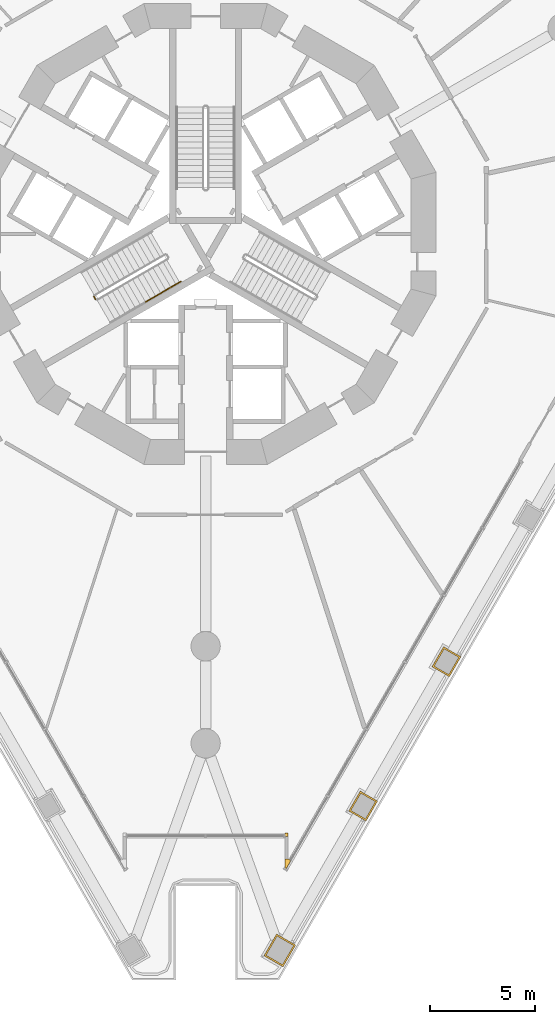
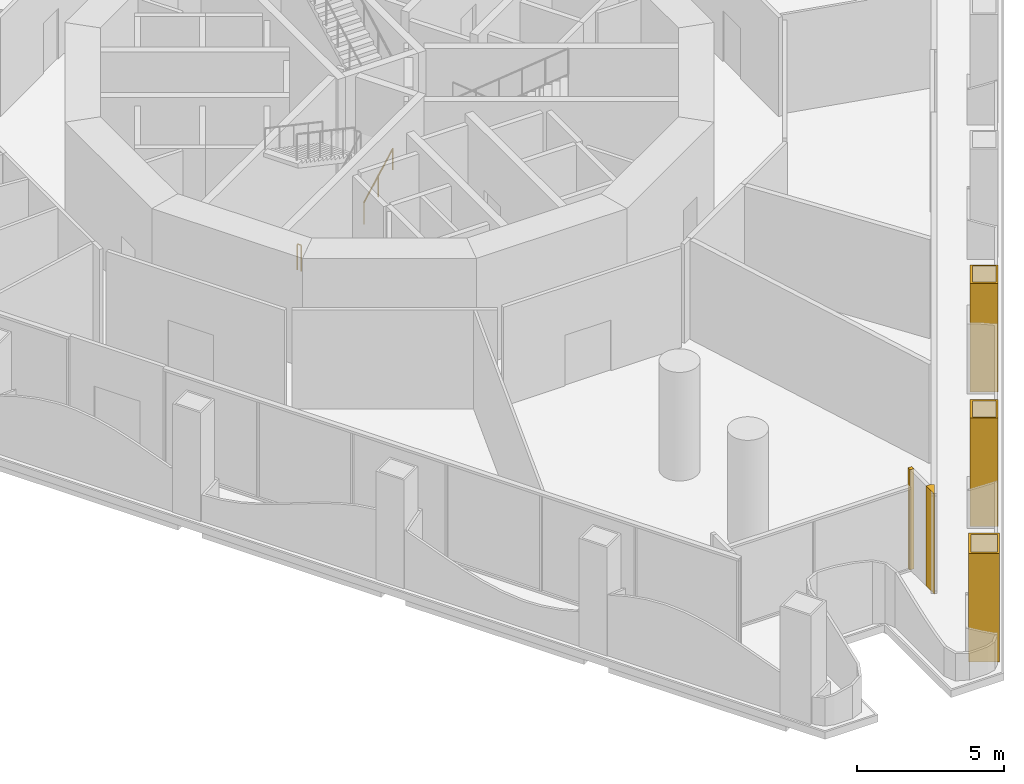
# One storey, part 18 of 23: 5 coverings, 2 railings.
"""IFC4 building model written with IfcOpenShell, lengths in metres."""

from ifc_helpers import new_model, si_unit, direction, frame, origin, origin_2d, place, context, subcontext, project, spatial, polyline, circle, outline, extrude, material, layer, layer_set, type_object, element, save


model = new_model("IFC4")

# Units and contexts
model_context = context("Model", 3, precision=1e-05, world=origin(), true_north=direction((0.0, 1.0)))
body_context = subcontext(model_context, "Body", "Model", "MODEL_VIEW")
ifc_project = project(units=[si_unit("LENGTHUNIT", "METRE"), si_unit("AREAUNIT", "SQUARE_METRE"), si_unit("VOLUMEUNIT", "CUBIC_METRE"), si_unit("PLANEANGLEUNIT", "RADIAN"), si_unit("MASSUNIT", "GRAM", prefix="KILO")], contexts=[model_context])

# Site, building, storey
site_placement = place(None, origin())
site = spatial("IfcSite", under=ifc_project, at=site_placement, CompositionType="ELEMENT")
building_placement = place(site_placement, origin())
building = spatial("IfcBuilding", under=site, at=building_placement, Name="Trine Commons Tower", CompositionType="ELEMENT")
storey_placement = place(building_placement, frame((0.0, 0.0, 18.0)))
storey = spatial("IfcBuildingStorey", under=building, at=storey_placement, Name="L03", CompositionType="ELEMENT", Elevation=18.0)

# Coverings
ifc_material_1 = material(Name="Aluminium-framed insulated wall panel", Category="aluminium")
ifc_layer_1 = layer(ifc_material_1, 0.14990234375)
ifc_layer_set_1 = layer_set([ifc_layer_1], Name="Aluminium-framed insulated wall panel")
covering_type_1 = type_object("IfcCoveringType", Name="Glazing corner post, aluminium", PredefinedType="CLADDING", material=ifc_layer_set_1)
covering_1_placement = place(storey_placement, origin())
element("IfcCovering", 1, at=covering_1_placement, inside=storey, type_object=covering_type_1, Name="Glazing corner post 1-09", PredefinedType="CLADDING", context=body_context, shape_type="SweptSolid", body=[
    extrude(outline(polyline([(83.7900390625, 32.635009765625), (83.7900390625, 32.0751953125), (84.06982421875, 32.56005859375), (83.93994140625, 32.635009765625), (83.93994140625, 32.635009765625), (83.7900390625, 32.635009765625)])), origin(), (0.0, 0.0, 1.0), 4.14990234375),
])
covering_2_placement = place(storey_placement, origin())
element("IfcCovering", 2, at=covering_2_placement, inside=storey, type_object=covering_type_1, Name="Glazing corner post 1-10", PredefinedType="CLADDING", context=body_context, shape_type="SweptSolid", body=[
    extrude(outline(polyline([(83.93994140625, 33.720703125), (83.93994140625, 33.870849609375), (83.7900390625, 33.870849609375), (83.7900390625, 33.720703125), (83.93994140625, 33.720703125)])), origin(), (0.0, 0.0, 1.0), 4.14990234375),
])
ifc_material_2 = material(Name="Limestone, honed", Category="masonry")
ifc_layer_2 = layer(ifc_material_2, 0.074951171875)
ifc_layer_set_2 = layer_set([ifc_layer_2], Name="Limestone, honed")
covering_type_2 = type_object("IfcCoveringType", Name="Limestone column cladding 75", PredefinedType="CLADDING", material=ifc_layer_set_2)
covering_3_placement = place(storey_placement, origin())
element("IfcCovering", 3, at=covering_3_placement, inside=storey, type_object=covering_type_2, Name="Limestone pier cladding 1-22", PredefinedType="CLADDING", context=body_context, shape_type="SweptSolid", body=[
    extrude(outline(polyline([(92.1943359375, 42.3017578125), (91.37158203125, 42.77685546875), (90.821533203125, 41.82421875), (91.644287109375, 41.34912109375), (92.1943359375, 42.3017578125)]), holes=[polyline([(92.091796875, 42.2744140625), (91.39892578125, 42.67431640625), (90.924072265625, 41.8515625), (91.61669921875, 41.45166015625), (92.091796875, 42.2744140625)])]), origin(), (0.0, 0.0, 1.0), 4.5),
])
covering_4_placement = place(storey_placement, origin())
element("IfcCovering", 4, at=covering_4_placement, inside=storey, type_object=covering_type_2, Name="Limestone pier cladding 1-23", PredefinedType="CLADDING", context=body_context, shape_type="SweptSolid", body=[
    extrude(outline(polyline([(88.212646484375, 35.4052734375), (87.389892578125, 35.88037109375), (86.83984375, 34.927734375), (87.66259765625, 34.45263671875), (88.212646484375, 35.4052734375)]), holes=[polyline([(88.110107421875, 35.3779296875), (87.417236328125, 35.77783203125), (86.9423828125, 34.955078125), (87.635009765625, 34.55517578125), (88.110107421875, 35.3779296875)])]), origin(), (0.0, 0.0, 1.0), 4.5),
])
covering_5_placement = place(storey_placement, origin())
element("IfcCovering", 5, at=covering_5_placement, inside=storey, type_object=covering_type_2, Name="Limestone pier cladding 1-24", PredefinedType="CLADDING", context=body_context, shape_type="SweptSolid", body=[
    extrude(outline(polyline([(84.29931640625, 28.527099609375), (83.389892578125, 29.052001953125), (82.789794921875, 28.012939453125), (83.69921875, 27.48779296875), (84.29931640625, 28.527099609375)]), holes=[polyline([(84.19677734375, 28.499755859375), (83.417236328125, 28.94970703125), (82.892333984375, 28.040283203125), (83.671630859375, 27.59033203125), (84.19677734375, 28.499755859375)])]), origin(), (0.0, 0.0, 1.0), 4.5),
])

# Railings
ifc_material_3 = material(Name="Stainless steel balustrade", Category="steel")
railing_type_1 = type_object("IfcRailingType", Name="Stair guard, steel balustrade 1100", PredefinedType="GUARDRAIL", material=ifc_material_3)
railing_1_placement = place(storey_placement, frame((74.73681640625, 59.374755859375, 0.0)))
element("IfcRailing", 6, at=railing_1_placement, inside=storey, type_object=railing_type_1, Name="L03 ST2A stair guard 4", PredefinedType="GUARDRAIL", context=body_context, shape_type="SweptSolid", body=[
    extrude(circle(Radius=0.02392578125, at=origin_2d()), frame((0.0, 0.0, 1.076171875), z_axis=(-0.499816412211, 0.866131372301, 0.0), x_axis=(-0.866131372301, -0.499816412211, 0.0)), (0.0, 0.0, 1.0), 0.14990234375),
    extrude(circle(Radius=0.02099609375, at=origin_2d()), origin(), (0.0, 0.0, 1.0), 1.052001953125),
    extrude(circle(Radius=0.02099609375, at=origin_2d()), frame((-0.074951171875, 0.1298828125, 0.0)), (0.0, 0.0, 1.0), 1.052001953125),
])
ifc_material_4 = material(Name="Stainless steel handrail", Category="steel")
railing_type_2 = type_object("IfcRailingType", Name="Stair handrail, steel 900", PredefinedType="HANDRAIL", material=ifc_material_4)
railing_2_placement = place(storey_placement, frame((77.127685546875, 59.25390625, 1.199951171875)))
element("IfcRailing", 7, at=railing_2_placement, inside=storey, type_object=railing_type_2, Name="L03 ST2A stair handrail 2", PredefinedType="HANDRAIL", context=body_context, shape_type="SweptSolid", body=[
    extrude(circle(Radius=0.02099609375, at=origin_2d()), frame((0.0, 0.0, 0.87890625), z_axis=(0.763352030933, 0.440750151347, 0.472263677365), x_axis=(-0.500024377727, 0.866011328839, 0.0)), (0.0, 0.0, 1.0), 2.223388671875),
    extrude(circle(Radius=0.01513671875, at=origin_2d()), origin(), (0.0, 0.0, 1.0), 0.85791015625),
    extrude(circle(Radius=0.01513671875, at=origin_2d()), frame((0.8486328125, 0.489990234375, 0.52490234375)), (0.0, 0.0, 1.0), 0.85791015625),
    extrude(circle(Radius=0.01513671875, at=origin_2d()), frame((1.697265625, 0.97998046875, 1.050048828125)), (0.0, 0.0, 1.0), 0.85791015625),
])

save(model, "model.ifc")
